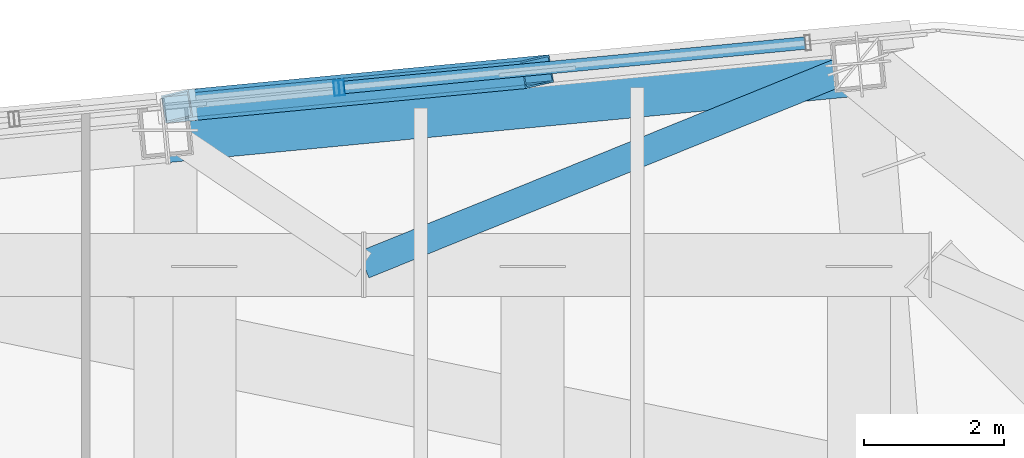
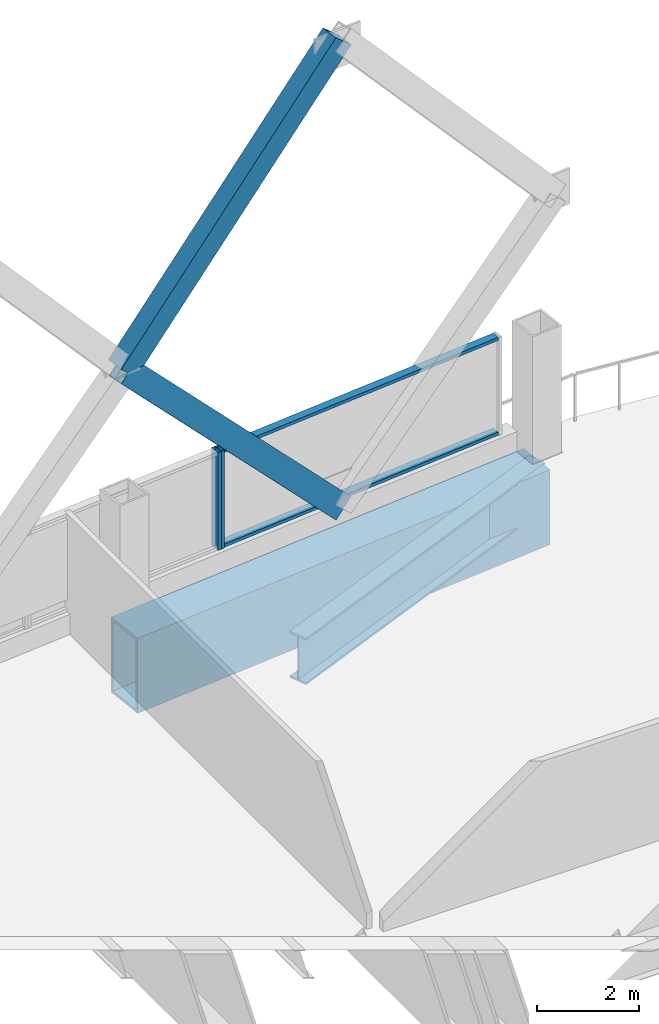
# One storey, part 25 of 37: 6 members, 2 beams, 2 elements without a shape of their own.
"""IFC4 building model written with IfcOpenShell, lengths in metres."""

from ifc_helpers import new_model, si_unit, direction, frame, origin, origin_2d, place, context, subcontext, project, spatial, hollow_rectangle, i_section, extrude, material, layer, layer_set, material_profile, profile_set, type_object, element, aggregate, save


model = new_model("IFC4")

# Units and contexts
model_context = context("Model", 3, precision=1e-05, world=origin(), true_north=direction((0.0, 1.0)))
body_context = subcontext(model_context, "Body", "Model", "MODEL_VIEW")
ifc_project = project(units=[si_unit("LENGTHUNIT", "METRE"), si_unit("AREAUNIT", "SQUARE_METRE"), si_unit("VOLUMEUNIT", "CUBIC_METRE"), si_unit("PLANEANGLEUNIT", "RADIAN"), si_unit("MASSUNIT", "GRAM", prefix="KILO")], contexts=[model_context])

# Site, building, storey
site_placement = place(None, origin())
site = spatial("IfcSite", under=ifc_project, at=site_placement, CompositionType="ELEMENT")
building_placement = place(site_placement, origin())
building = spatial("IfcBuilding", under=site, at=building_placement, Name="Qhalaya Broadcast Tower", CompositionType="ELEMENT")
storey_placement = place(building_placement, frame((0.0, 0.0, 156.14990234375)))
storey = spatial("IfcBuildingStorey", under=building, at=storey_placement, Name="L45", CompositionType="ELEMENT", Elevation=156.14990234375)

# Beam
ifc_material_1 = material(Name="Structural Steel ASTM A572 Grade 50", Category="steel")
ifc_material_profile_1 = material_profile(ifc_material_1, hollow_rectangle(XDim=0.89990234375, YDim=1.800048828125, WallThickness=0.06005859375, at=origin_2d()), Name="BOX 900x1800x60")
ifc_profile_set_1 = profile_set([ifc_material_profile_1], Name="Structural Steel ASTM A572 Grade 50")
beam_type_1 = type_object("IfcBeamType", Name="Block Cantilever Transfer Box Girder TG1", PredefinedType="USERDEFINED", material=ifc_profile_set_1)
beam_1_placement = place(storey_placement, frame((9.362060546875, 25.52783203125, -1.119873046875), z_axis=(-0.99539573508, -0.095850563819, 0.0), x_axis=(0.095850563819, -0.99539573508, 0.0)))
element("IfcBeam", 1, at=beam_1_placement, inside=storey, type_object=beam_type_1, Name="L45 TG1 L45-SPR-09", ObjectType="GIRDER", PredefinedType="USERDEFINED", context=body_context, shape_type="SweptSolid", body=[
    extrude(hollow_rectangle(XDim=0.89990234375, YDim=1.800048828125, WallThickness=0.06005859375, at=origin_2d()), origin(), (0.0, 0.0, 1.0), 9.966796875),
])

# Members
ifc_material_profile_2 = material_profile(ifc_material_1, hollow_rectangle(XDim=0.39990234375, YDim=0.550048828125, WallThickness=0.02490234375, at=origin_2d()), Name="BOX 400x550x25")
ifc_profile_set_2 = profile_set([ifc_material_profile_2], Name="Structural Steel ASTM A572 Grade 50")
member_type_1 = type_object("IfcMemberType", Name="Exoskeleton Diamond Diagonal Mid-High EX3", PredefinedType="BRACE", material=ifc_profile_set_2)
member_1_placement = place(storey_placement, frame((4.76708984375, 25.427001953125, 0.360107421875), z_axis=(-0.690631901239, -0.066504325889, 0.720142174594), x_axis=(0.164115000923, -0.984197121098, 0.066500325516)))
element("IfcMember", 2, at=member_1_placement, inside=storey, type_object=member_type_1, Name="B4 Exoskeleton Diamond Brace N1-D2", PredefinedType="BRACE", context=body_context, shape_type="SweptSolid", body=[
    extrude(hollow_rectangle(XDim=0.39990234375, YDim=0.550048828125, WallThickness=0.02490234375, at=origin_2d()), origin(), (0.0, 0.0, 1.0), 7.470703125),
])
member_2_placement = place(storey_placement, frame((-0.392333984375, 24.93017578125, 5.739990234375), z_axis=(0.659476642868, 0.06350423358, 0.749037896123), x_axis=(-0.166871781183, 0.983931657235, 0.063500413668)))
element("IfcMember", 3, at=member_2_placement, inside=storey, type_object=member_type_1, Name="B4 Exoskeleton Diamond Brace N1-D4", PredefinedType="BRACE", context=body_context, shape_type="SweptSolid", body=[
    extrude(hollow_rectangle(XDim=0.39990234375, YDim=0.550048828125, WallThickness=0.02490234375, at=origin_2d()), origin(), (0.0, 0.0, 1.0), 7.823486328125),
])

# Beam
ifc_material_2 = material(Name="Structural Steel ASTM A992 Grade 50", Category="steel")
ifc_material_profile_3 = material_profile(ifc_material_2, i_section(OverallWidth=0.404052734375, OverallDepth=1.117919921875, WebThickness=0.026123046875, FlangeThickness=0.044921875, at=origin_2d()), Name="W44X335")
ifc_profile_set_3 = profile_set([ifc_material_profile_3], Name="Structural Steel ASTM A992 Grade 50")
beam_type_2 = type_object("IfcBeamType", Name="Podium Long-Span Primary Girder PG1", PredefinedType="USERDEFINED", material=ifc_profile_set_3)
beam_2_placement = place(storey_placement, frame((2.280029296875, 22.659912109375, -0.77880859375), z_axis=(0.926883828608, 0.375348329242, 0.0), x_axis=(-0.375348329242, 0.926883828608, 0.0)))
element("IfcBeam", 4, at=beam_2_placement, inside=storey, type_object=beam_type_2, Name="L45 Column-to-Column Moment Tie Girder 09-2", ObjectType="GIRDER", PredefinedType="USERDEFINED", context=body_context, shape_type="SweptSolid", body=[
    extrude(i_section(OverallWidth=0.404052734375, OverallDepth=1.117919921875, WebThickness=0.026123046875, FlangeThickness=0.044921875, at=origin_2d()), origin(), (0.0, 0.0, 1.0), 7.640625),
])

# Curtain wall, member
ifc_material_3 = material(Name="Fired Architectural Terracotta", Category="masonry")
ifc_layer_1 = layer(ifc_material_3, 0.219970703125, Name="Fired Architectural Terracotta")
ifc_layer_set_1 = layer_set([ifc_layer_1], Name="Fired Architectural Terracotta")
curtain_wall_type_1 = type_object("IfcCurtainWallType", Name="Block-Cap Unitised Terracotta Spandrel Wall CW-07", PredefinedType="NOTDEFINED", material=ifc_layer_set_1)
curtain_wall_1_placement = place(storey_placement, origin())
curtain_wall_1 = element("IfcCurtainWall", 5, at=curtain_wall_1_placement, inside=storey, type_object=curtain_wall_type_1, Name="L45 Unitised Curtain Wall L45-CW-N1", PredefinedType="NOTDEFINED")
ifc_material_4 = material(Name="Anodised Aluminium 6063-T6", Category="aluminium")
ifc_material_profile_4 = material_profile(ifc_material_4, hollow_rectangle(XDim=0.074951171875, YDim=0.219970703125, WallThickness=0.00390625, at=origin_2d()), Name="ALU-MUL 75x220x4")
ifc_profile_set_4 = profile_set([ifc_material_profile_4], Name="Anodised Aluminium 6063-T6")
member_type_2 = type_object("IfcMemberType", Name="Unitised Curtain-Wall Mullion M01", PredefinedType="MULLION", material=ifc_profile_set_4)
member_3_placement = place(storey_placement, frame((1.967041015625, 25.197509765625, 0.47998046875), z_axis=(0.0, 0.0, 1.0), x_axis=(-0.99539669829, -0.095840560477, 0.0)))
member_3 = element("IfcMember", 6, at=member_3_placement, type_object=member_type_2, Name="CW-07 mullion 2", PredefinedType="MULLION", context=body_context, shape_type="SweptSolid", body=[
    extrude(hollow_rectangle(XDim=0.074951171875, YDim=0.219970703125, WallThickness=0.00390625, at=origin_2d()), origin(), (0.0, 0.0, 1.0), 2.35009765625),
])

ifc_material_5 = material(Name="Solar-Control Low-E Triple Glazing", Category="glass")
ifc_layer_2 = layer(ifc_material_5, 0.219970703125, Name="Solar-Control Low-E Triple Glazing")
ifc_layer_set_2 = layer_set([ifc_layer_2], Name="Solar-Control Low-E Triple Glazing")
curtain_wall_type_2 = type_object("IfcCurtainWallType", Name="Even-Block 4-Storey Double-Module Curtain Wall CW-03", PredefinedType="NOTDEFINED", material=ifc_layer_set_2)
curtain_wall_2_placement = place(storey_placement, origin())
curtain_wall_2 = element("IfcCurtainWall", 7, at=curtain_wall_2_placement, inside=storey, type_object=curtain_wall_type_2, Name="L45 Unitised Curtain Wall L45-CW-N2", PredefinedType="NOTDEFINED")
member_4_placement = place(storey_placement, frame((1.892333984375, 25.1904296875, 0.47998046875), z_axis=(0.0, 0.0, 1.0), x_axis=(-0.995395888038, -0.095848975357, 0.0)))
member_4 = element("IfcMember", 8, at=member_4_placement, type_object=member_type_2, Name="CW-03 mullion 1", PredefinedType="MULLION", context=body_context, shape_type="SweptSolid", body=[
    extrude(hollow_rectangle(XDim=0.074951171875, YDim=0.219970703125, WallThickness=0.00390625, at=origin_2d()), origin(), (0.0, 0.0, 1.0), 2.35009765625),
])
aggregate(curtain_wall_2, [member_4])

# Member
ifc_material_profile_5 = material_profile(ifc_material_4, hollow_rectangle(XDim=0.074951171875, YDim=0.179931640625, WallThickness=0.00390625, at=origin_2d()), Name="ALU-TRN 75x180x4")
ifc_profile_set_5 = profile_set([ifc_material_profile_5], Name="Anodised Aluminium 6063-T6")
member_type_3 = type_object("IfcMemberType", Name="Unitised Curtain-Wall Transom T01", PredefinedType="USERDEFINED", material=ifc_profile_set_5)
member_5_placement = place(storey_placement, frame((8.603759765625, 25.836669921875, 0.517578125), z_axis=(-0.995395457973, -0.095853441497, 0.0), x_axis=(0.0, 0.0, 1.0)))
member_5 = element("IfcMember", 9, at=member_5_placement, type_object=member_type_3, Name="CW-07 transom 1.1", ObjectType="TRANSOM", PredefinedType="USERDEFINED", context=body_context, shape_type="SweptSolid", body=[
    extrude(hollow_rectangle(XDim=0.074951171875, YDim=0.179931640625, WallThickness=0.00390625, at=origin_2d()), origin(), (0.0, 0.0, 1.0), 6.6298828125),
])

member_6_placement = place(storey_placement, frame((8.603759765625, 25.836669921875, 2.79248046875), z_axis=(-0.995395457973, -0.095853441497, 0.0), x_axis=(0.0, 0.0, 1.0)))
member_6 = element("IfcMember", 10, at=member_6_placement, type_object=member_type_3, Name="CW-07 transom 1.2", ObjectType="TRANSOM", PredefinedType="USERDEFINED", context=body_context, shape_type="SweptSolid", body=[
    extrude(hollow_rectangle(XDim=0.074951171875, YDim=0.179931640625, WallThickness=0.00390625, at=origin_2d()), origin(), (0.0, 0.0, 1.0), 6.6298828125),
])

aggregate(curtain_wall_1, [member_3, member_5, member_6])

save(model, "model.ifc")
